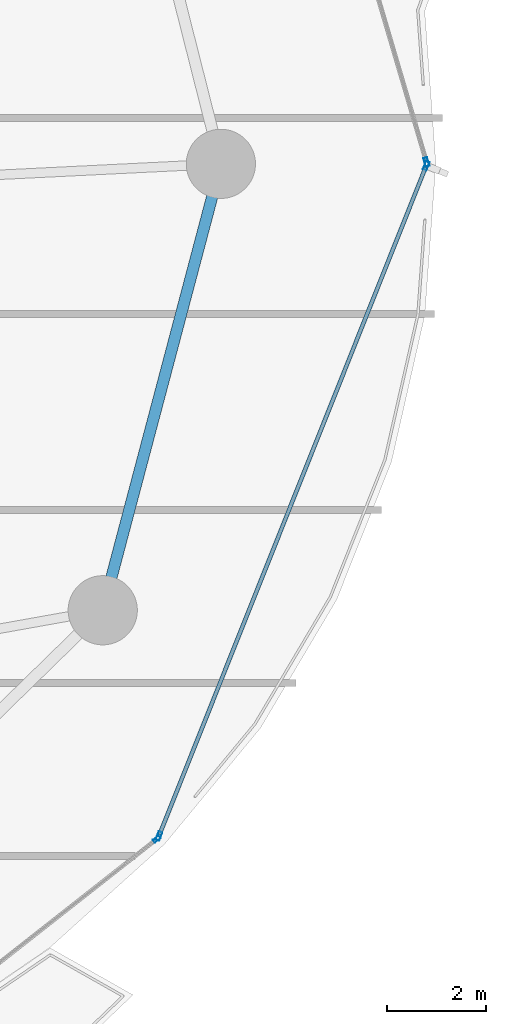
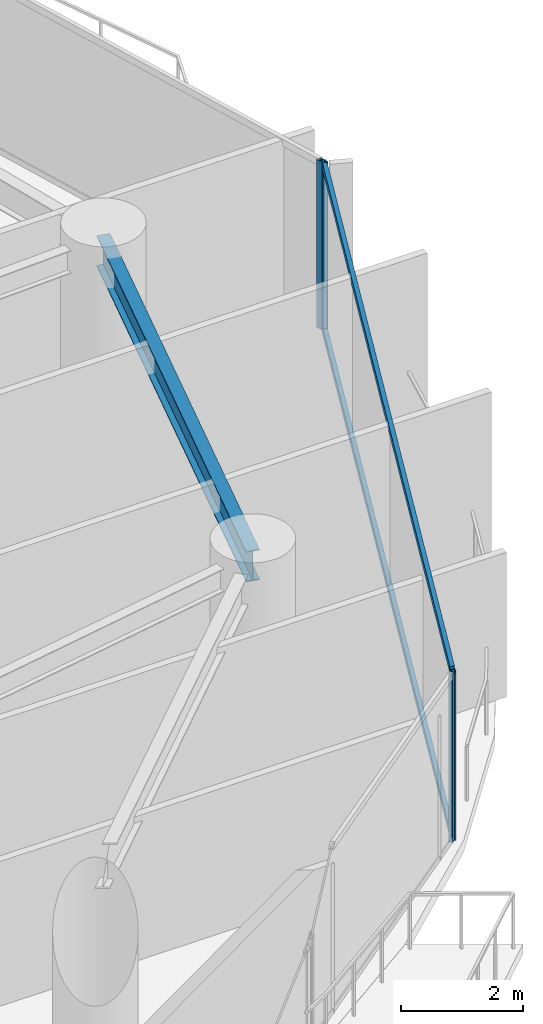
# One storey, part 23 of 33: 6 members, 1 beam, 3 elements without a shape of their own.
"""IFC4 building model written with IfcOpenShell, lengths in metres."""

from ifc_helpers import new_model, si_unit, direction, frame, origin, origin_2d, place, context, subcontext, project, spatial, hollow_rectangle, i_section, extrude, material, layer, layer_set, material_profile, profile_set, type_object, element, aggregate, save


model = new_model("IFC4")

# Units and contexts
model_context = context("Model", 3, precision=1e-05, world=origin(), true_north=direction((0.0, 1.0)))
body_context = subcontext(model_context, "Body", "Model", "MODEL_VIEW")
ifc_project = project(units=[si_unit("LENGTHUNIT", "METRE"), si_unit("AREAUNIT", "SQUARE_METRE"), si_unit("VOLUMEUNIT", "CUBIC_METRE"), si_unit("PLANEANGLEUNIT", "RADIAN"), si_unit("MASSUNIT", "GRAM", prefix="KILO")], contexts=[model_context])

# Site, building, storey
site_placement = place(None, origin())
site = spatial("IfcSite", under=ifc_project, at=site_placement, CompositionType="ELEMENT")
building_placement = place(site_placement, origin())
building = spatial("IfcBuilding", under=site, at=building_placement, Name="Kazevale Care Tower and Concert Hall", CompositionType="ELEMENT")
storey_placement = place(building_placement, frame((0.0, 0.0, 31.199951171875)))
storey = spatial("IfcBuildingStorey", under=building, at=storey_placement, Name="L07", CompositionType="ELEMENT", Elevation=31.199951171875)

# Curtain wall, members
ifc_material_1 = material(Name="Aluminium 6063-T6 and Low-E Glass", Category="aluminium")
ifc_layer_1 = layer(ifc_material_1, 0.179931640625)
ifc_layer_set_1 = layer_set([ifc_layer_1], Name="Aluminium 6063-T6 and Low-E Glass")
curtain_wall_type_1 = type_object("IfcCurtainWallType", Name="Waist & Upper Residential Curtain Wall CW-4", PredefinedType="NOTDEFINED", material=ifc_layer_set_1)
curtain_wall_1_placement = place(storey_placement, origin())
curtain_wall_1 = element("IfcCurtainWall", 1, at=curtain_wall_1_placement, inside=storey, type_object=curtain_wall_type_1, Name="cw:L07:f01", PredefinedType="NOTDEFINED")
ifc_material_2 = material(Name="Aluminium 6063-T6", Category="aluminium")
ifc_material_profile_1 = material_profile(ifc_material_2, hollow_rectangle(XDim=0.080078125, YDim=0.179931640625, WallThickness=0.0048828125, at=origin_2d()), Name="ALU80x180x5")
ifc_profile_set_1 = profile_set([ifc_material_profile_1], Name="Aluminium 6063-T6")
member_type_1 = type_object("IfcMemberType", Name="CW-4 Mullion ALU80x180x5", PredefinedType="MULLION", material=ifc_profile_set_1)
member_1_placement = place(storey_placement, frame((80.605224609375, 37.962890625, 0.0), z_axis=(0.0, 0.0, 1.0), x_axis=(0.928861412274, -0.370427424456, 0.0)))
member_1 = element("IfcMember", 2, at=member_1_placement, type_object=member_type_1, Name="CW-4 mullion 1", PredefinedType="MULLION", context=body_context, shape_type="SweptSolid", body=[
    extrude(hollow_rectangle(XDim=0.080078125, YDim=0.179931640625, WallThickness=0.0048828125, at=origin_2d()), origin(), (0.0, 0.0, 1.0), 3.360107421875),
])
member_2_placement = place(storey_placement, frame((75.19677734375, 24.401123046875, 0.0), z_axis=(0.0, 0.0, 1.0), x_axis=(0.928861412274, -0.370427424456, 0.0)))
member_2 = element("IfcMember", 3, at=member_2_placement, type_object=member_type_1, Name="CW-4 mullion 2", PredefinedType="MULLION", context=body_context, shape_type="SweptSolid", body=[
    extrude(hollow_rectangle(XDim=0.080078125, YDim=0.179931640625, WallThickness=0.0048828125, at=origin_2d()), origin(), (0.0, 0.0, 1.0), 3.360107421875),
])

# Curtain wall, member
curtain_wall_2_placement = place(storey_placement, origin())
curtain_wall_2 = element("IfcCurtainWall", 4, at=curtain_wall_2_placement, inside=storey, type_object=curtain_wall_type_1, Name="cw:L07:f18", PredefinedType="NOTDEFINED")
member_3_placement = place(storey_placement, frame((80.608642578125, 38.038330078125, 0.0), z_axis=(0.0, 0.0, 1.0), x_axis=(0.959173119586, 0.282819600918, 0.0)))
member_3 = element("IfcMember", 5, at=member_3_placement, type_object=member_type_1, Name="CW-4 mullion 2", PredefinedType="MULLION", context=body_context, shape_type="SweptSolid", body=[
    extrude(hollow_rectangle(XDim=0.080078125, YDim=0.179931640625, WallThickness=0.0048828125, at=origin_2d()), origin(), (0.0, 0.0, 1.0), 3.360107421875),
])
aggregate(curtain_wall_2, [member_3])

# Member
ifc_material_profile_2 = material_profile(ifc_material_2, hollow_rectangle(XDim=0.080078125, YDim=0.139892578125, WallThickness=0.00390625, at=origin_2d()), Name="ALU80x140x4")
ifc_profile_set_2 = profile_set([ifc_material_profile_2], Name="Aluminium 6063-T6")
member_type_2 = type_object("IfcMemberType", Name="CW-4 Transom ALU80x140x4", PredefinedType="USERDEFINED", material=ifc_profile_set_2)
member_4_placement = place(storey_placement, frame((80.59033203125, 37.92578125, 0.0400390625), z_axis=(-0.370419345682, -0.928864634026, 0.0), x_axis=(0.928864634026, -0.370419345682, 0.0)))
member_4 = element("IfcMember", 6, at=member_4_placement, type_object=member_type_2, Name="CW-4 transom 1.1", ObjectType="TRANSOM", PredefinedType="USERDEFINED", context=body_context, shape_type="SweptSolid", body=[
    extrude(hollow_rectangle(XDim=0.080078125, YDim=0.139892578125, WallThickness=0.00390625, at=origin_2d()), origin(), (0.0, 0.0, 1.0), 14.5205078125),
])

member_5_placement = place(storey_placement, frame((80.59033203125, 37.92578125, 3.320068359375), z_axis=(-0.370419345682, -0.928864634026, 0.0), x_axis=(0.928864634026, -0.370419345682, 0.0)))
member_5 = element("IfcMember", 7, at=member_5_placement, type_object=member_type_2, Name="CW-4 transom 1.2", ObjectType="TRANSOM", PredefinedType="USERDEFINED", context=body_context, shape_type="SweptSolid", body=[
    extrude(hollow_rectangle(XDim=0.080078125, YDim=0.139892578125, WallThickness=0.00390625, at=origin_2d()), origin(), (0.0, 0.0, 1.0), 14.5205078125),
])

aggregate(curtain_wall_1, [member_1, member_2, member_4, member_5])

# Curtain wall, member
ifc_layer_2 = layer(ifc_material_1, 0.179931640625)
ifc_layer_set_2 = layer_set([ifc_layer_2], Name="Aluminium 6063-T6 and Low-E Glass")
curtain_wall_type_2 = type_object("IfcCurtainWallType", Name="Sheltered Concave Balcony Curtain Wall CW-5", PredefinedType="NOTDEFINED", material=ifc_layer_set_2)
curtain_wall_3_placement = place(storey_placement, origin())
curtain_wall_3 = element("IfcCurtainWall", 8, at=curtain_wall_3_placement, inside=storey, type_object=curtain_wall_type_2, Name="cw:L07:f02", PredefinedType="NOTDEFINED")
ifc_material_profile_3 = material_profile(ifc_material_2, hollow_rectangle(XDim=0.074951171875, YDim=0.14990234375, WallThickness=0.00390625, at=origin_2d()), Name="ALU75x150x4")
ifc_profile_set_3 = profile_set([ifc_material_profile_3], Name="Aluminium 6063-T6")
member_type_3 = type_object("IfcMemberType", Name="CW-5 Mullion ALU75x150x4", PredefinedType="MULLION", material=ifc_profile_set_3)
member_6_placement = place(storey_placement, frame((75.152587890625, 24.3408203125, 0.0), z_axis=(0.0, 0.0, 1.0), x_axis=(0.617807548814, -0.78632934107, 0.0)))
member_6 = element("IfcMember", 9, at=member_6_placement, type_object=member_type_3, Name="CW-5 mullion 1", PredefinedType="MULLION", context=body_context, shape_type="SweptSolid", body=[
    extrude(hollow_rectangle(XDim=0.074951171875, YDim=0.14990234375, WallThickness=0.00390625, at=origin_2d()), origin(), (0.0, 0.0, 1.0), 3.360107421875),
])
aggregate(curtain_wall_3, [member_6])

# Beam
ifc_material_3 = material(Name="Steel ASTM A572 Gr 50", Category="steel")
ifc_material_profile_4 = material_profile(ifc_material_3, i_section(OverallWidth=0.22900390625, OverallDepth=0.612060546875, WebThickness=0.011962890625, FlangeThickness=0.01953125, at=origin_2d()), Name="W610x125")
ifc_profile_set_4 = profile_set([ifc_material_profile_4], Name="Steel ASTM A572 Gr 50")
beam_type = type_object("IfcBeamType", Name="Ring Spandrel Beam W610x125", PredefinedType="SPANDREL", material=ifc_profile_set_4)
beam_placement = place(storey_placement, frame((74.06005859375, 28.969970703125, 3.053955078125), z_axis=(0.255851611973, 0.966716066201, 0.0), x_axis=(-0.966716066201, 0.255851611973, 0.0)))
element("IfcBeam", 10, at=beam_placement, inside=storey, type_object=beam_type, Name="beam:L07:ring:16", PredefinedType="SPANDREL", context=body_context, shape_type="SweptSolid", body=[
    extrude(i_section(OverallWidth=0.22900390625, OverallDepth=0.612060546875, WebThickness=0.011962890625, FlangeThickness=0.01953125, at=origin_2d()), origin(), (0.0, 0.0, 1.0), 9.3408203125),
])

save(model, "model.ifc")
